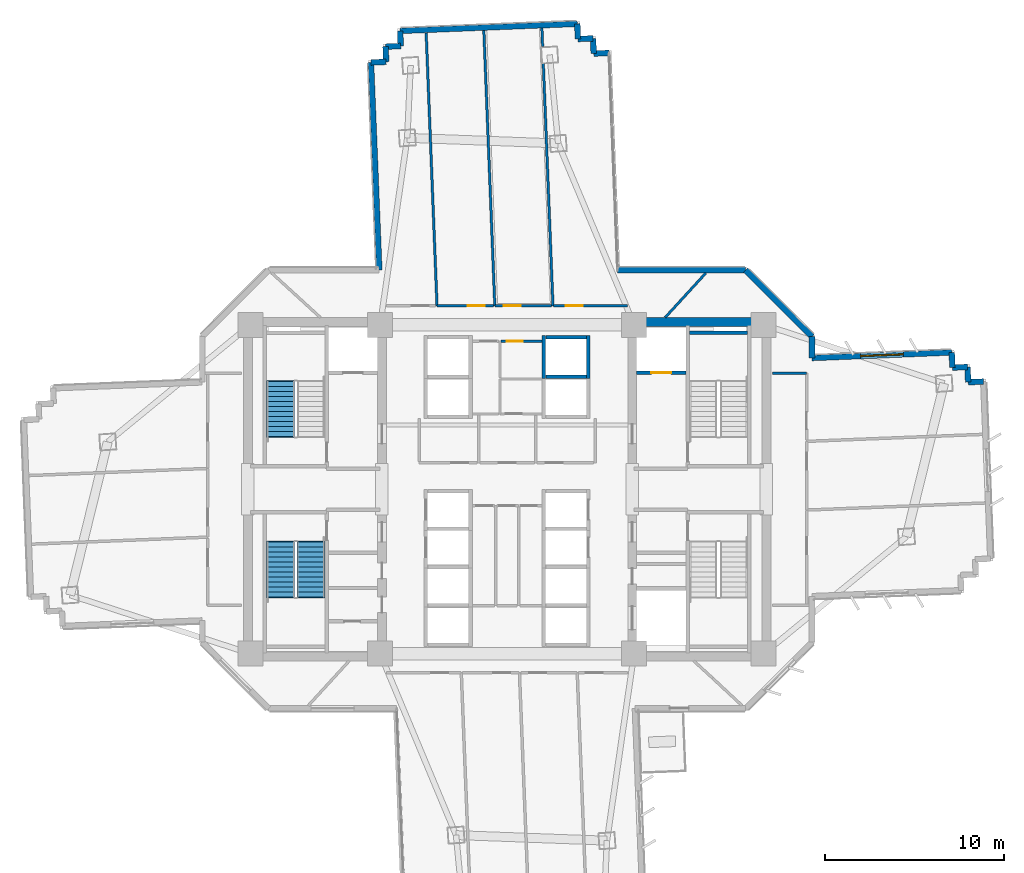
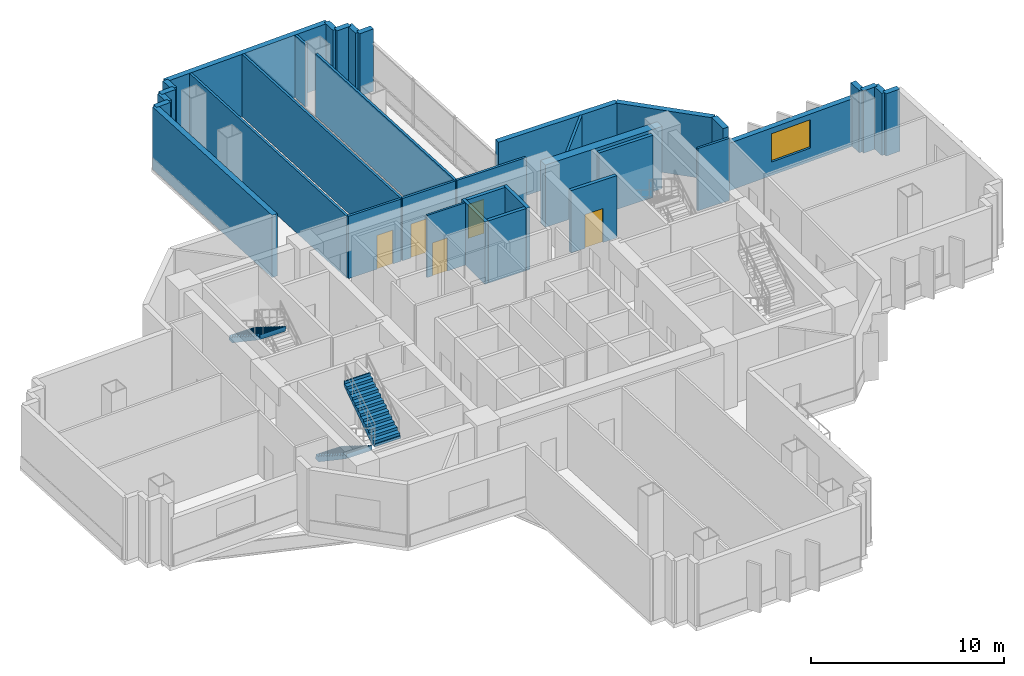
# One storey, part 10 of 16: 35 walls, 5 doors, 3 stair flights, 1 window, 6 openings, 2 elements without a shape of their own.
"""IFC4 building model written with IfcOpenShell, lengths in metres."""

from ifc_helpers import new_model, si_unit, direction, frame, frame_2d, origin, place, context, subcontext, project, spatial, polyline, rectangle, outline, extrude, source, transform, mapped, material, layer, layer_set, type_object, element, fill, aggregate, save


model = new_model("IFC4")

# Units and contexts
model_context = context("Model", 3, precision=1e-05, world=origin(), true_north=direction((0.0, 1.0)))
body_context = subcontext(model_context, "Body", "Model", "MODEL_VIEW")
ifc_project = project(units=[si_unit("LENGTHUNIT", "METRE"), si_unit("AREAUNIT", "SQUARE_METRE"), si_unit("VOLUMEUNIT", "CUBIC_METRE"), si_unit("PLANEANGLEUNIT", "RADIAN"), si_unit("MASSUNIT", "GRAM", prefix="KILO")], contexts=[model_context])

# Site, building, storey
site_placement = place(None, origin())
site = spatial("IfcSite", under=ifc_project, at=site_placement, CompositionType="ELEMENT")
building_placement = place(site_placement, origin())
building = spatial("IfcBuilding", under=site, at=building_placement, Name="Zahravan Cultural Tower", CompositionType="ELEMENT")
storey_placement = place(building_placement, frame((0.0, 0.0, 58.5)))
storey = spatial("IfcBuildingStorey", under=building, at=storey_placement, Name="L12", CompositionType="ELEMENT", Elevation=58.5)

# Wall, opening, window
ifc_material_1 = material(Name="Precast concrete C40/50", Category="concrete")
ifc_layer_1 = layer(ifc_material_1, 0.320068359375)
ifc_layer_set_1 = layer_set([ifc_layer_1], Name="Precast concrete C40/50")
wall_type_1 = type_object("IfcWallType", Name="EW-TC-320", PredefinedType="SOLIDWALL", material=ifc_layer_set_1)
wall_1_placement = place(storey_placement, frame((53.06005859375, 34.344482421875, 0.0), z_axis=(0.0, 0.0, 1.0), x_axis=(0.999208917222, 0.039768577336, 0.0)))
wall_1 = element("IfcWall", 1, at=wall_1_placement, inside=storey, type_object=wall_type_1, Name="L12 Exterior Masonry Frame Wall 01", PredefinedType="SOLIDWALL", context=body_context, shape_type="SweptSolid", body=[
    extrude(rectangle(XDim=7.821044921875, YDim=0.320068359375, at=frame_2d((3.91064453125, 0.0))), origin(), (0.0, 0.0, 1.0), 3.010009765625),
])
opening_1_placement = place(wall_1_placement, frame((2.7109375, 0.0, 0.85009765625)))
opening_1 = element("IfcOpeningElement", 2, at=opening_1_placement, cuts=wall_1, Name="Opening WN-01", PredefinedType="OPENING", context=body_context, shape_type="SweptSolid", body=[
    extrude(rectangle(XDim=2.39990234375, YDim=1.800048828125, at=frame_2d((1.199951171875, 0.89990234375))), frame((0.0, 0.169921875, 0.0), z_axis=(0.0, -1.0, 0.0), x_axis=(1.0, 0.0, 0.0)), (0.0, 0.0, 1.0), 0.340087890625),
])
ifc_material_2 = material(Name="Low-E solar-control double glazing", Category="glass")
window_type = type_object("IfcWindowType", Name="WN-REC-2400X1800", PartitioningType="DOUBLE_PANEL_VERTICAL", PredefinedType="WINDOW", material=ifc_material_2)
shared_shape_1 = source(origin(), body_context, "Body", "SweptSolid", [
    extrude(rectangle(XDim=2.39990234375, YDim=1.800048828125, at=frame_2d((1.199951171875, 0.89990234375))), frame((0.0, 0.030029296875, 0.0), z_axis=(0.0, -1.0, 0.0), x_axis=(1.0, 0.0, 0.0)), (0.0, 0.0, 1.0), 0.06005859375),
])
window_placement = place(opening_1_placement, origin())
window = element("IfcWindow", 3, at=window_placement, inside=storey, type_object=window_type, Name="L12 Recessed Solar Window 01", OverallHeight=1.800048828125, OverallWidth=2.39990234375, PartitioningType="DOUBLE_PANEL_VERTICAL", PredefinedType="WINDOW", context=body_context, shape_type="MappedRepresentation", body=[
    mapped(shared_shape_1, transform((0.0, 0.0, 0.0), x_axis=(1.0, 0.0, 0.0), y_axis=(0.0, 1.0, 0.0), z_axis=(0.0, 0.0, 1.0), scale=1.0)),
])
fill(opening_1, window)

# Wall, opening, door
ifc_material_3 = material(Name="Gypsum plasterboard partition")
ifc_layer_2 = layer(ifc_material_3, 0.139892578125)
ifc_layer_set_2 = layer_set([ifc_layer_2], Name="Gypsum plasterboard partition")
wall_type_2 = type_object("IfcWallType", Name="W-PART-140", PredefinedType="PARTITIONING", material=ifc_layer_set_2)
wall_2_placement = place(storey_placement, frame((35.236083984375, 37.260009765625, 0.0), z_axis=(0.0, 0.0, 1.0), x_axis=(-1.0, 0.0, 0.0)))
wall_2 = element("IfcWall", 4, at=wall_2_placement, inside=storey, type_object=wall_type_2, Name="L12 Interior Wall 098", PredefinedType="PARTITIONING", context=body_context, shape_type="SweptSolid", body=[
    extrude(rectangle(XDim=3.157470703125, YDim=0.139892578125, at=frame_2d((1.57861328125, 0.0))), origin(), (0.0, 0.0, 1.0), 3.949951171875),
])
opening_2_placement = place(wall_2_placement, frame((0.485595703125, 0.0, 0.0)))
opening_2 = element("IfcOpeningElement", 5, at=opening_2_placement, cuts=wall_2, Name="Opening D-L12-26", PredefinedType="OPENING", context=body_context, shape_type="SweptSolid", body=[
    extrude(rectangle(XDim=0.949951171875, YDim=2.14990234375, at=frame_2d((0.47509765625, 1.074951171875))), frame((0.0, 0.079833984375, 0.0), z_axis=(0.0, -1.0, 0.0), x_axis=(1.0, 0.0, 0.0)), (0.0, 0.0, 1.0), 0.159912109375),
])
ifc_material_4 = material(Name="Anodised bronze-aluminium mullion", Category="aluminium")
door_type_1 = type_object("IfcDoorType", Name="DR-ROOM-950", OperationType="NOTDEFINED", PredefinedType="DOOR", material=ifc_material_4)
shared_shape_2 = source(origin(), body_context, "Body", "SweptSolid", [
    extrude(rectangle(XDim=0.949951171875, YDim=2.14990234375, at=frame_2d((0.47509765625, 1.074951171875))), frame((0.0, 0.02490234375, 0.0), z_axis=(0.0, -1.0, 0.0), x_axis=(1.0, 0.0, 0.0)), (0.0, 0.0, 1.0), 0.050048828125),
])
door_1_placement = place(opening_2_placement, origin())
door_1 = element("IfcDoor", 6, at=door_1_placement, inside=storey, type_object=door_type_1, Name="L12 Door D-L12-26", OperationType="SINGLE_SWING_LEFT", OverallHeight=2.14990234375, OverallWidth=0.949951171875, PredefinedType="DOOR", context=body_context, shape_type="MappedRepresentation", body=[
    mapped(shared_shape_2, transform((0.0, 0.0, 0.0), x_axis=(1.0, 0.0, 0.0), y_axis=(0.0, 1.0, 0.0), z_axis=(0.0, 0.0, 1.0), scale=1.0)),
])
fill(opening_2, door_1)

wall_3_placement = place(storey_placement, frame((38.48876953125, 37.260009765625, 0.0), z_axis=(0.0, 0.0, 1.0), x_axis=(-1.0, 0.0, 0.0)))
wall_3 = element("IfcWall", 7, at=wall_3_placement, inside=storey, type_object=wall_type_2, Name="L12 Interior Wall 105", PredefinedType="PARTITIONING", context=body_context, shape_type="SweptSolid", body=[
    extrude(rectangle(XDim=3.157470703125, YDim=0.139892578125, at=frame_2d((1.57861328125, 0.0))), origin(), (0.0, 0.0, 1.0), 3.949951171875),
])
opening_3_placement = place(wall_3_placement, frame((1.7216796875, 0.0, 0.0)))
opening_3 = element("IfcOpeningElement", 8, at=opening_3_placement, cuts=wall_3, Name="Opening D-L12-25", PredefinedType="OPENING", context=body_context, shape_type="SweptSolid", body=[
    extrude(rectangle(XDim=0.949951171875, YDim=2.14990234375, at=frame_2d((0.47509765625, 1.074951171875))), frame((0.0, 0.079833984375, 0.0), z_axis=(0.0, -1.0, 0.0), x_axis=(1.0, 0.0, 0.0)), (0.0, 0.0, 1.0), 0.159912109375),
])
door_2_placement = place(opening_3_placement, origin())
door_2 = element("IfcDoor", 9, at=door_2_placement, inside=storey, type_object=door_type_1, Name="L12 Door D-L12-25", OperationType="SINGLE_SWING_RIGHT", OverallHeight=2.14990234375, OverallWidth=0.949951171875, PredefinedType="DOOR", context=body_context, shape_type="MappedRepresentation", body=[
    mapped(shared_shape_2, transform((0.0, 0.0, 0.0), x_axis=(1.0, 0.0, 0.0), y_axis=(0.0, 1.0, 0.0), z_axis=(0.0, 0.0, 1.0), scale=1.0)),
])
fill(opening_3, door_2)

wall_4_placement = place(storey_placement, frame((42.742431640625, 37.259765625, 0.0), z_axis=(0.0, 0.0, 1.0), x_axis=(-0.999999998277, 5.8706117e-05, 0.0)))
wall_4 = element("IfcWall", 10, at=wall_4_placement, inside=storey, type_object=wall_type_2, Name="L12 Interior Wall 124", PredefinedType="PARTITIONING", context=body_context, shape_type="SweptSolid", body=[
    extrude(rectangle(XDim=4.15869140625, YDim=0.139892578125, at=frame_2d((2.079345703125, 0.0))), origin(), (0.0, 0.0, 1.0), 3.949951171875),
])
opening_4_placement = place(wall_4_placement, frame((2.502685546875, 0.0, 0.0)))
opening_4 = element("IfcOpeningElement", 11, at=opening_4_placement, cuts=wall_4, Name="Opening D-L12-24", PredefinedType="OPENING", context=body_context, shape_type="SweptSolid", body=[
    extrude(rectangle(XDim=0.949951171875, YDim=2.14990234375, at=frame_2d((0.47509765625, 1.074951171875))), frame((0.0, 0.079833984375, 0.0), z_axis=(0.0, -1.0, 0.0), x_axis=(1.0, 0.0, 0.0)), (0.0, 0.0, 1.0), 0.159912109375),
])
door_3_placement = place(opening_4_placement, origin())
door_3 = element("IfcDoor", 12, at=door_3_placement, inside=storey, type_object=door_type_1, Name="L12 Door D-L12-24", OperationType="SINGLE_SWING_LEFT", OverallHeight=2.14990234375, OverallWidth=0.949951171875, PredefinedType="DOOR", context=body_context, shape_type="MappedRepresentation", body=[
    mapped(shared_shape_2, transform((0.0, 0.0, 0.0), x_axis=(1.0, 0.0, 0.0), y_axis=(0.0, 1.0, 0.0), z_axis=(0.0, 0.0, 1.0), scale=1.0)),
])
fill(opening_4, door_3)

ifc_material_5 = material(Name="Concrete C45/55", Category="concrete")
ifc_layer_3 = layer(ifc_material_5, 0.199951171875)
ifc_layer_set_3 = layer_set([ifc_layer_3], Name="Concrete C45/55")
wall_type_3 = type_object("IfcWallType", Name="W-SHAFT-200", PredefinedType="SOLIDWALL", material=ifc_layer_set_3)
wall_5_placement = place(storey_placement, frame((43.25, 33.52001953125, 0.0), z_axis=(0.0, 0.0, 1.0), x_axis=(1.0, 0.0, 0.0)))
wall_5 = element("IfcWall", 13, at=wall_5_placement, inside=storey, type_object=wall_type_3, Name="L12 Interior Wall 022", PredefinedType="SOLIDWALL", context=body_context, shape_type="SweptSolid", body=[
    extrude(rectangle(XDim=2.75, YDim=0.199951171875, at=frame_2d((1.375, 0.0))), origin(), (0.0, 0.0, 1.0), 3.949951171875),
])
opening_5_placement = place(wall_5_placement, frame((0.820068359375, 0.0, 0.0)))
opening_5 = element("IfcOpeningElement", 14, at=opening_5_placement, cuts=wall_5, Name="Opening LD-L12-02", PredefinedType="OPENING", context=body_context, shape_type="SweptSolid", body=[
    extrude(rectangle(XDim=1.10009765625, YDim=2.14990234375, at=frame_2d((0.550048828125, 1.074951171875))), frame((0.0, 0.10986328125, 0.0), z_axis=(0.0, -1.0, 0.0), x_axis=(1.0, 0.0, 0.0)), (0.0, 0.0, 1.0), 0.219970703125),
])
ifc_material_6 = material(Name="Steel ASTM A572 Grade 50", Category="steel")
door_type_2 = type_object("IfcDoorType", Name="DR-LIFT-1100", OperationType="DOUBLE_DOOR_SLIDING", PredefinedType="DOOR", material=ifc_material_6)
shared_shape_3 = source(origin(), body_context, "Body", "SweptSolid", [
    extrude(rectangle(XDim=1.10009765625, YDim=2.14990234375, at=frame_2d((0.550048828125, 1.074951171875))), frame((0.0, 0.02490234375, 0.0), z_axis=(0.0, -1.0, 0.0), x_axis=(1.0, 0.0, 0.0)), (0.0, 0.0, 1.0), 0.050048828125),
])
door_4_placement = place(opening_5_placement, origin())
door_4 = element("IfcDoor", 15, at=door_4_placement, inside=storey, type_object=door_type_2, Name="L12 Door LD-L12-02", OperationType="DOUBLE_DOOR_SLIDING", OverallHeight=2.14990234375, OverallWidth=1.10009765625, PredefinedType="DOOR", context=body_context, shape_type="MappedRepresentation", body=[
    mapped(shared_shape_3, transform((0.0, 0.0, 0.0), x_axis=(1.0, 0.0, 0.0), y_axis=(0.0, 1.0, 0.0), z_axis=(0.0, 0.0, 1.0), scale=1.0)),
])
fill(opening_5, door_4)

ifc_layer_4 = layer(ifc_material_3, 0.114990234375)
ifc_layer_set_4 = layer_set([ifc_layer_4], Name="Gypsum plasterboard partition")
wall_type_4 = type_object("IfcWallType", Name="W-WC-115", PredefinedType="PARTITIONING", material=ifc_layer_set_4)
wall_6_placement = place(storey_placement, frame((35.652587890625, 35.280029296875, 0.0), z_axis=(0.0, 0.0, 1.0), x_axis=(1.0, 0.0, 0.0)))
wall_6 = element("IfcWall", 16, at=wall_6_placement, inside=storey, type_object=wall_type_4, Name="L12 Interior Wall 073", PredefinedType="PARTITIONING", context=body_context, shape_type="SweptSolid", body=[
    extrude(rectangle(XDim=2.29248046875, YDim=0.114990234375, at=frame_2d((1.146240234375, 0.0))), origin(), (0.0, 0.0, 1.0), 3.949951171875),
])
opening_6_placement = place(wall_6_placement, frame((0.3203125, 0.0, 0.0)))
opening_6 = element("IfcOpeningElement", 17, at=opening_6_placement, cuts=wall_6, Name="Opening D-L12-14", PredefinedType="OPENING", context=body_context, shape_type="SweptSolid", body=[
    extrude(rectangle(XDim=0.89990234375, YDim=2.10009765625, at=frame_2d((0.449951171875, 1.050048828125))), frame((0.0, 0.0673828125, 0.0), z_axis=(0.0, -1.0, 0.0), x_axis=(1.0, 0.0, 0.0)), (0.0, 0.0, 1.0), 0.135009765625),
])
door_type_3 = type_object("IfcDoorType", Name="DR-WC-900", OperationType="NOTDEFINED", PredefinedType="DOOR", material=ifc_material_4)
shared_shape_4 = source(origin(), body_context, "Body", "SweptSolid", [
    extrude(rectangle(XDim=0.89990234375, YDim=2.10009765625, at=frame_2d((0.449951171875, 1.050048828125))), frame((0.0, 0.02490234375, 0.0), z_axis=(0.0, -1.0, 0.0), x_axis=(1.0, 0.0, 0.0)), (0.0, 0.0, 1.0), 0.050048828125),
])
door_5_placement = place(opening_6_placement, origin())
door_5 = element("IfcDoor", 18, at=door_5_placement, inside=storey, type_object=door_type_3, Name="L12 Door D-L12-14", OperationType="SINGLE_SWING_LEFT", OverallHeight=2.10009765625, OverallWidth=0.89990234375, PredefinedType="DOOR", context=body_context, shape_type="MappedRepresentation", body=[
    mapped(shared_shape_4, transform((0.0, 0.0, 0.0), x_axis=(1.0, 0.0, 0.0), y_axis=(0.0, 1.0, 0.0), z_axis=(0.0, 0.0, 1.0), scale=1.0)),
])
fill(opening_6, door_5)

# Walls
ifc_material_7 = material(Name="Concrete C60/75", Category="concrete")
ifc_layer_5 = layer(ifc_material_7, 0.5)
ifc_layer_set_5 = layer_set([ifc_layer_5], Name="Concrete C60/75")
wall_type_5 = type_object("IfcWallType", Name="CW-SHEAR-500-C60", PredefinedType="SHEAR", material=ifc_layer_set_5)
shared_shape_5 = source(origin(), body_context, "Body", "SweptSolid", [
    extrude(rectangle(XDim=7.0, YDim=0.5, at=frame_2d((3.5, 0.0))), origin(), (0.0, 0.0, 1.0), 3.949951171875),
])
wall_7_placement = place(storey_placement, frame((43.25, 36.35009765625, 0.0), z_axis=(0.0, 0.0, 1.0), x_axis=(1.0, 0.0, 0.0)))
element("IfcWall", 19, at=wall_7_placement, inside=storey, type_object=wall_type_5, Name="L12 Core Shear Wall CW-E-N-L12", PredefinedType="SHEAR", context=body_context, shape_type="MappedRepresentation", body=[
    mapped(shared_shape_5, transform((0.0, 0.0, 0.0), x_axis=(1.0, 0.0, 0.0), y_axis=(0.0, 1.0, 0.0), z_axis=(0.0, 0.0, 1.0), scale=1.0)),
])
shared_shape_6 = source(origin(), body_context, "Body", "SweptSolid", [
    extrude(rectangle(XDim=0.849853515625, YDim=0.320068359375, at=frame_2d((0.4248046875, 0.0))), origin(), (0.0, 0.0, 1.0), 3.949951171875),
])
for number, where, z_axis, x_axis, name in (
    (20, (60.875, 34.655517578125, 0.0), (0.0, 0.0, 1.0), (0.039933618331, -0.999202334929, 0.0), "L12 Exterior Masonry Frame Wall 02"),
    (21, (28.38427734375, 50.8759765625, 0.0), (0.0, 0.0, 1.0), (0.999202334929, 0.039933618331, 0.0), "L12 Exterior Masonry Frame Wall 43"),
    (22, (29.2333984375, 50.909912109375, 0.0), (0.0, 0.0, 1.0), (-0.039646779332, 0.999213757356, 0.0), "L12 Exterior Masonry Frame Wall 44"),
    (23, (30.049072265625, 51.79296875, 0.0), (0.0, 0.0, 1.0), (-0.039933618331, 0.999202334929, 0.0), "L12 Exterior Masonry Frame Wall 46"),
    (24, (39.961181640625, 52.1875, 0.0), (0.0, 0.0, 1.0), (0.999213757356, 0.039646779332, 0.0), "L12 Exterior Masonry Frame Wall 49"),
    (25, (40.810302734375, 52.22119140625, 0.0), (0.0, 0.0, 1.0), (0.039933618331, -0.999202334929, 0.0), "L12 Exterior Masonry Frame Wall 50"),
):
    element("IfcWall", number, at=place(storey_placement, frame(where, z_axis=z_axis, x_axis=x_axis)), inside=storey, type_object=wall_type_1, Name=name, PredefinedType="SOLIDWALL", context=body_context, shape_type="MappedRepresentation", body=[
        mapped(shared_shape_6, transform((0.0, 0.0, 0.0), x_axis=(1.0, 0.0, 0.0), y_axis=(0.0, 1.0, 0.0), z_axis=(0.0, 0.0, 1.0), scale=1.0)),
    ])
shared_shape_7 = source(origin(), body_context, "Body", "SweptSolid", [
    extrude(rectangle(XDim=0.85009765625, YDim=0.320068359375, at=frame_2d((0.425048828125, 0.0))), origin(), (0.0, 0.0, 1.0), 3.949951171875),
])
for number, where, z_axis, x_axis, name in (
    (26, (60.908935546875, 33.806396484375, 0.0), (0.0, 0.0, 1.0), (0.999214208752, 0.039635401209, 0.0), "L12 Exterior Masonry Frame Wall 03"),
    (27, (61.75830078125, 33.840087890625, 0.0), (0.0, 0.0, 1.0), (0.039635401209, -0.999214208752, 0.0), "L12 Exterior Masonry Frame Wall 04"),
    (28, (61.7919921875, 32.99072265625, 0.0), (0.0, 0.0, 1.0), (0.999202792875, 0.039922158152, 0.0), "L12 Exterior Masonry Frame Wall 05"),
    (29, (29.19970703125, 51.759033203125, 0.0), (0.0, 0.0, 1.0), (0.999202792875, 0.039922158152, 0.0), "L12 Exterior Masonry Frame Wall 45"),
    (30, (39.92724609375, 53.036865234375, 0.0), (0.0, 0.0, 1.0), (0.039922158152, -0.999202792875, 0.0), "L12 Exterior Masonry Frame Wall 48"),
    (31, (40.84423828125, 51.3720703125, 0.0), (0.0, 0.0, 1.0), (0.999214208752, 0.039635401209, 0.0), "L12 Exterior Masonry Frame Wall 51"),
):
    element("IfcWall", number, at=place(storey_placement, frame(where, z_axis=z_axis, x_axis=x_axis)), inside=storey, type_object=wall_type_1, Name=name, PredefinedType="SOLIDWALL", context=body_context, shape_type="MappedRepresentation", body=[
        mapped(shared_shape_7, transform((0.0, 0.0, 0.0), x_axis=(1.0, 0.0, 0.0), y_axis=(0.0, 1.0, 0.0), z_axis=(0.0, 0.0, 1.0), scale=1.0)),
    ])
shared_shape_8 = source(origin(), body_context, "Body", "SweptSolid", [
    extrude(rectangle(XDim=9.919921875, YDim=0.320068359375, at=frame_2d((4.9599609375, 0.0))), origin(), (0.0, 0.0, 1.0), 3.949951171875),
])
wall_8_placement = place(storey_placement, frame((30.01513671875, 52.64208984375, 0.0), z_axis=(0.0, 0.0, 1.0), x_axis=(0.999207823998, 0.039796035749, 0.0)))
element("IfcWall", 32, at=wall_8_placement, inside=storey, type_object=wall_type_1, Name="L12 Exterior Masonry Frame Wall 47", PredefinedType="SOLIDWALL", context=body_context, shape_type="MappedRepresentation", body=[
    mapped(shared_shape_8, transform((0.0, 0.0, 0.0), x_axis=(1.0, 0.0, 0.0), y_axis=(0.0, 1.0, 0.0), z_axis=(0.0, 0.0, 1.0), scale=1.0)),
])
shared_shape_9 = source(origin(), body_context, "Body", "SweptSolid", [
    extrude(rectangle(XDim=5.258056640625, YDim=0.320068359375, at=frame_2d((2.62890625, 0.0))), origin(), (0.0, 0.0, 1.0), 3.949951171875),
])
wall_9_placement = place(storey_placement, frame((49.342041015625, 39.260009765625, 0.0), z_axis=(0.0, 0.0, 1.0), x_axis=(0.707106781187, -0.707106781187, 0.0)))
element("IfcWall", 33, at=wall_9_placement, inside=storey, type_object=wall_type_1, Name="L12 Exterior Masonry Frame Wall 53", PredefinedType="SOLIDWALL", context=body_context, shape_type="MappedRepresentation", body=[
    mapped(shared_shape_9, transform((0.0, 0.0, 0.0), x_axis=(1.0, 0.0, 0.0), y_axis=(0.0, 1.0, 0.0), z_axis=(0.0, 0.0, 1.0), scale=1.0)),
])
shared_shape_10 = source(origin(), body_context, "Body", "SweptSolid", [
    extrude(rectangle(XDim=1.197509765625, YDim=0.320068359375, at=frame_2d((0.5986328125, 0.0))), origin(), (0.0, 0.0, 1.0), 3.949951171875),
])
wall_10_placement = place(storey_placement, frame((53.06005859375, 35.5419921875, 0.0), z_axis=(0.0, 0.0, 1.0), x_axis=(0.0, -1.0, 0.0)))
element("IfcWall", 34, at=wall_10_placement, inside=storey, type_object=wall_type_1, Name="L12 Exterior Masonry Frame Wall 54", PredefinedType="SOLIDWALL", context=body_context, shape_type="MappedRepresentation", body=[
    mapped(shared_shape_10, transform((0.0, 0.0, 0.0), x_axis=(1.0, 0.0, 0.0), y_axis=(0.0, 1.0, 0.0), z_axis=(0.0, 0.0, 1.0), scale=1.0)),
])
shared_shape_11 = source(origin(), body_context, "Body", "SweptSolid", [
    extrude(rectangle(XDim=11.625244140625, YDim=0.320068359375, at=frame_2d((5.8125, 0.0))), origin(), (0.0, 0.0, 1.0), 3.949951171875),
])
wall_11_placement = place(storey_placement, frame((28.8466796875, 39.260009765625, 0.0), z_axis=(0.0, 0.0, 1.0), x_axis=(-0.039775975357, 0.999208622753, 0.0)))
element("IfcWall", 35, at=wall_11_placement, inside=storey, type_object=wall_type_1, Name="L12 Exterior Masonry Frame Wall 42", PredefinedType="SOLIDWALL", context=body_context, shape_type="MappedRepresentation", body=[
    mapped(shared_shape_11, transform((0.0, 0.0, 0.0), x_axis=(1.0, 0.0, 0.0), y_axis=(0.0, 1.0, 0.0), z_axis=(0.0, 0.0, 1.0), scale=1.0)),
])
shared_shape_12 = source(origin(), body_context, "Body", "SweptSolid", [
    extrude(rectangle(XDim=7.164794921875, YDim=0.320068359375, at=frame_2d((3.58251953125, 0.0))), origin(), (0.0, 0.0, 1.0), 3.949951171875),
])
wall_12_placement = place(storey_placement, frame((42.17724609375, 39.260009765625, 0.0), z_axis=(0.0, 0.0, 1.0), x_axis=(1.0, 0.0, 0.0)))
element("IfcWall", 36, at=wall_12_placement, inside=storey, type_object=wall_type_1, Name="L12 Exterior Masonry Frame Wall 52", PredefinedType="SOLIDWALL", context=body_context, shape_type="MappedRepresentation", body=[
    mapped(shared_shape_12, transform((0.0, 0.0, 0.0), x_axis=(1.0, 0.0, 0.0), y_axis=(0.0, 1.0, 0.0), z_axis=(0.0, 0.0, 1.0), scale=1.0)),
])
shared_shape_13 = source(origin(), body_context, "Body", "SweptSolid", [
    extrude(rectangle(XDim=3.25, YDim=0.199951171875, at=frame_2d((1.625, 0.0))), origin(), (0.0, 0.0, 1.0), 3.949951171875),
])
wall_13_placement = place(storey_placement, frame((46.199951171875, 35.75, 0.0), z_axis=(0.0, 0.0, 1.0), x_axis=(1.0, 0.0, 0.0)))
element("IfcWall", 37, at=wall_13_placement, inside=storey, type_object=wall_type_3, Name="L12 Interior Wall 018", PredefinedType="SOLIDWALL", context=body_context, shape_type="MappedRepresentation", body=[
    mapped(shared_shape_13, transform((0.0, 0.0, 0.0), x_axis=(1.0, 0.0, 0.0), y_axis=(0.0, 1.0, 0.0), z_axis=(0.0, 0.0, 1.0), scale=1.0)),
])
shared_shape_14 = source(origin(), body_context, "Body", "SweptSolid", [
    extrude(rectangle(XDim=2.400146484375, YDim=0.199951171875, at=frame_2d((1.2001953125, 0.0))), origin(), (0.0, 0.0, 1.0), 3.949951171875),
])
for number, where, z_axis, x_axis, name in (
    (38, (38.050048828125, 33.199951171875, 0.0), (0.0, 0.0, 1.0), (0.0, 1.0, 0.0), "L12 Interior Wall 036"),
    (39, (40.550048828125, 33.199951171875, 0.0), (0.0, 0.0, 1.0), (0.0, 1.0, 0.0), "L12 Interior Wall 037"),
):
    element("IfcWall", number, at=place(storey_placement, frame(where, z_axis=z_axis, x_axis=x_axis)), inside=storey, type_object=wall_type_3, Name=name, PredefinedType="SOLIDWALL", context=body_context, shape_type="MappedRepresentation", body=[
        mapped(shared_shape_14, transform((0.0, 0.0, 0.0), x_axis=(1.0, 0.0, 0.0), y_axis=(0.0, 1.0, 0.0), z_axis=(0.0, 0.0, 1.0), scale=1.0)),
    ])
shared_shape_15 = source(origin(), body_context, "Body", "SweptSolid", [
    extrude(rectangle(XDim=2.260009765625, YDim=0.199951171875, at=frame_2d((1.1298828125, 0.0))), origin(), (0.0, 0.0, 1.0), 3.949951171875),
])
for number, where, z_axis, x_axis, name in (
    (40, (38.169921875, 33.300048828125, 0.0), (0.0, 0.0, 1.0), (1.0, 0.0, 0.0), "L12 Interior Wall 038"),
    (41, (38.169921875, 35.5, 0.0), (0.0, 0.0, 1.0), (1.0, 0.0, 0.0), "L12 Interior Wall 039"),
):
    element("IfcWall", number, at=place(storey_placement, frame(where, z_axis=z_axis, x_axis=x_axis)), inside=storey, type_object=wall_type_3, Name=name, PredefinedType="SOLIDWALL", context=body_context, shape_type="MappedRepresentation", body=[
        mapped(shared_shape_15, transform((0.0, 0.0, 0.0), x_axis=(1.0, 0.0, 0.0), y_axis=(0.0, 1.0, 0.0), z_axis=(0.0, 0.0, 1.0), scale=1.0)),
    ])
shared_shape_16 = source(origin(), body_context, "Body", "SweptSolid", [
    extrude(rectangle(XDim=15.415771484375, YDim=0.139892578125, at=frame_2d((7.7080078125, 0.0))), origin(), (0.0, 0.0, 1.0), 3.949951171875),
])
wall_14_placement = place(storey_placement, frame((34.697998046875, 52.66357421875, 0.0), z_axis=(0.0, 0.0, 1.0), x_axis=(0.039782723686, -0.999208354096, 0.0)))
element("IfcWall", 42, at=wall_14_placement, inside=storey, type_object=wall_type_2, Name="L12 Interior Wall 097", PredefinedType="PARTITIONING", context=body_context, shape_type="MappedRepresentation", body=[
    mapped(shared_shape_16, transform((0.0, 0.0, 0.0), x_axis=(1.0, 0.0, 0.0), y_axis=(0.0, 1.0, 0.0), z_axis=(0.0, 0.0, 1.0), scale=1.0)),
])
shared_shape_17 = source(origin(), body_context, "Body", "SweptSolid", [
    extrude(rectangle(XDim=15.2861328125, YDim=0.139892578125, at=frame_2d((7.64306640625, 0.0))), origin(), (0.0, 0.0, 1.0), 3.949951171875),
])
wall_15_placement = place(storey_placement, frame((32.07861328125, 37.260986328125, 0.0), z_axis=(0.0, 0.0, 1.0), x_axis=(-0.039769031662, 0.99920889914, 0.0)))
element("IfcWall", 43, at=wall_15_placement, inside=storey, type_object=wall_type_2, Name="L12 Interior Wall 099", PredefinedType="PARTITIONING", context=body_context, shape_type="MappedRepresentation", body=[
    mapped(shared_shape_17, transform((0.0, 0.0, 0.0), x_axis=(1.0, 0.0, 0.0), y_axis=(0.0, 1.0, 0.0), z_axis=(0.0, 0.0, 1.0), scale=1.0)),
])
shared_shape_18 = source(origin(), body_context, "Body", "SweptSolid", [
    extrude(rectangle(XDim=1.01611328125, YDim=0.139892578125, at=frame_2d((0.508056640625, 0.0))), origin(), (0.0, 0.0, 1.0), 3.949951171875),
])
wall_16_placement = place(storey_placement, frame((37.9453125, 52.792724609375, 0.0), z_axis=(0.0, 0.0, 1.0), x_axis=(0.03988168596, -0.99920440908, 0.0)))
element("IfcWall", 44, at=wall_16_placement, inside=storey, type_object=wall_type_2, Name="L12 Interior Wall 103", PredefinedType="PARTITIONING", context=body_context, shape_type="MappedRepresentation", body=[
    mapped(shared_shape_18, transform((0.0, 0.0, 0.0), x_axis=(1.0, 0.0, 0.0), y_axis=(0.0, 1.0, 0.0), z_axis=(0.0, 0.0, 1.0), scale=1.0)),
])
shared_shape_19 = source(origin(), body_context, "Body", "SweptSolid", [
    extrude(rectangle(XDim=13.568115234375, YDim=0.139892578125, at=frame_2d((6.7841796875, 0.0))), origin(), (0.0, 0.0, 1.0), 3.949951171875),
])
wall_17_placement = place(storey_placement, frame((38.024169921875, 50.8173828125, 0.0), z_axis=(0.0, 0.0, 1.0), x_axis=(0.039766111253, -0.99920901537, 0.0)))
element("IfcWall", 45, at=wall_17_placement, inside=storey, type_object=wall_type_2, Name="L12 Interior Wall 104", PredefinedType="PARTITIONING", context=body_context, shape_type="MappedRepresentation", body=[
    mapped(shared_shape_19, transform((0.0, 0.0, 0.0), x_axis=(1.0, 0.0, 0.0), y_axis=(0.0, 1.0, 0.0), z_axis=(0.0, 0.0, 1.0), scale=1.0)),
])
shared_shape_20 = source(origin(), body_context, "Body", "SweptSolid", [
    extrude(rectangle(XDim=3.374755859375, YDim=0.139892578125, at=frame_2d((1.6875, 0.0))), origin(), (0.0, 0.0, 1.0), 3.949951171875),
])
wall_18_placement = place(storey_placement, frame((44.838134765625, 36.60498046875, 0.0), z_axis=(0.0, 0.0, 1.0), x_axis=(0.674974079893, 0.737841440604, 0.0)))
element("IfcWall", 46, at=wall_18_placement, inside=storey, type_object=wall_type_2, Name="L12 Interior Wall 118", PredefinedType="PARTITIONING", context=body_context, shape_type="MappedRepresentation", body=[
    mapped(shared_shape_20, transform((0.0, 0.0, 0.0), x_axis=(1.0, 0.0, 0.0), y_axis=(0.0, 1.0, 0.0), z_axis=(0.0, 0.0, 1.0), scale=1.0)),
])
shared_shape_21 = source(origin(), body_context, "Body", "SweptSolid", [
    extrude(rectangle(XDim=1.897705078125, YDim=0.139892578125, at=frame_2d((0.94873046875, 0.0))), origin(), (0.0, 0.0, 1.0), 3.949951171875),
])
wall_19_placement = place(storey_placement, frame((52.748779296875, 33.49755859375, 0.0), z_axis=(0.0, 0.0, 1.0), x_axis=(-0.999999702083, 0.00077190251, 0.0)))
element("IfcWall", 47, at=wall_19_placement, inside=storey, type_object=wall_type_2, Name="L12 Interior Wall 120", PredefinedType="PARTITIONING", context=body_context, shape_type="MappedRepresentation", body=[
    mapped(shared_shape_21, transform((0.0, 0.0, 0.0), x_axis=(1.0, 0.0, 0.0), y_axis=(0.0, 1.0, 0.0), z_axis=(0.0, 0.0, 1.0), scale=1.0)),
])

# Stair, stair flight
stair_type = type_object("IfcStairType", Name="STR-DL-1550-420", PredefinedType="HALF_TURN_STAIR", material=ifc_material_5)
stair_1_placement = place(storey_placement, origin())
stair_1 = element("IfcStair", 48, at=stair_1_placement, inside=storey, type_object=stair_type, Name="L12 West Core North Exit Stair ST-W1", PredefinedType="HALF_TURN_STAIR")
stair_flight_type = type_object("IfcStairFlightType", Name="FLG-DL-1550-420", PredefinedType="STRAIGHT", material=ifc_material_5)
stair_flight_1_placement = place(storey_placement, frame((23.324951171875, 33.030029296875, 2.10009765625), z_axis=(0.0, 0.0, 1.0), x_axis=(0.0, -1.0, 0.0)))
stair_flight_1 = element("IfcStairFlight", 49, at=stair_flight_1_placement, type_object=stair_flight_type, Name="ST-W1 flight 2", NumberOfRisers=12, NumberOfTreads=11, PredefinedType="STRAIGHT", RiserHeight=0.175, TreadLength=0.28, context=body_context, shape_type="SweptSolid", body=[
    extrude(outline(polyline([(-0.06494140625, -0.139892578125), (-0.06494140625, 0.0), (0.0, 0.0), (0.0, 0.175048828125), (0.280029296875, 0.175048828125), (0.280029296875, 0.35009765625), (0.56005859375, 0.35009765625), (0.56005859375, 0.52490234375), (0.840087890625, 0.52490234375), (0.840087890625, 0.699951171875), (1.1201171875, 0.699951171875), (1.1201171875, 0.875), (1.39990234375, 0.875), (1.39990234375, 1.050048828125), (1.679931640625, 1.050048828125), (1.679931640625, 1.22509765625), (1.9599609375, 1.22509765625), (1.9599609375, 1.39990234375), (2.239990234375, 1.39990234375), (2.239990234375, 1.574951171875), (2.52001953125, 1.574951171875), (2.52001953125, 1.75), (2.800048828125, 1.75), (2.800048828125, 1.925048828125), (3.080078125, 1.925048828125), (3.080078125, 2.10009765625), (3.14501953125, 2.10009765625), (3.14501953125, 1.9501953125), (3.080078125, 1.748291015625), (0.28271484375, -0.139892578125), (-0.06494140625, -0.139892578125)])), frame((0.0, 0.77490234375, 0.0), z_axis=(0.0, -1.0, 0.0), x_axis=(1.0, 0.0, 0.0)), (0.0, 0.0, 1.0), 1.550048828125),
])
aggregate(stair_1, [stair_flight_1])

# Stair, stair flights
stair_2_placement = place(storey_placement, origin())
stair_2 = element("IfcStair", 50, at=stair_2_placement, inside=storey, type_object=stair_type, Name="L12 West Core South Exit Stair ST-W2", PredefinedType="HALF_TURN_STAIR")
stair_flight_2_placement = place(storey_placement, frame((23.324951171875, 24.050048828125, 0.0), z_axis=(0.0, 0.0, 1.0), x_axis=(0.0, -1.0, 0.0)))
stair_flight_2 = element("IfcStairFlight", 51, at=stair_flight_2_placement, type_object=stair_flight_type, Name="ST-W2 flight 1", NumberOfRisers=12, NumberOfTreads=11, PredefinedType="STRAIGHT", RiserHeight=0.175, TreadLength=0.28, context=body_context, shape_type="SweptSolid", body=[
    extrude(outline(polyline([(-0.06494140625, -0.139892578125), (-0.06494140625, 0.0), (0.0, 0.0), (0.0, 0.175048828125), (0.280029296875, 0.175048828125), (0.280029296875, 0.35009765625), (0.56005859375, 0.35009765625), (0.56005859375, 0.52490234375), (0.840087890625, 0.52490234375), (0.840087890625, 0.699951171875), (1.1201171875, 0.699951171875), (1.1201171875, 0.875), (1.39990234375, 0.875), (1.39990234375, 1.050048828125), (1.679931640625, 1.050048828125), (1.679931640625, 1.22509765625), (1.9599609375, 1.22509765625), (1.9599609375, 1.39990234375), (2.239990234375, 1.39990234375), (2.239990234375, 1.574951171875), (2.52001953125, 1.574951171875), (2.52001953125, 1.75), (2.800048828125, 1.75), (2.800048828125, 1.925048828125), (3.080078125, 1.925048828125), (3.080078125, 2.10009765625), (3.14501953125, 2.10009765625), (3.14501953125, 1.9501953125), (3.080078125, 1.748291015625), (0.28271484375, -0.139892578125), (-0.06494140625, -0.139892578125)])), frame((0.0, 0.77490234375, 0.0), z_axis=(0.0, -1.0, 0.0), x_axis=(1.0, 0.0, 0.0)), (0.0, 0.0, 1.0), 1.550048828125),
])
stair_flight_3_placement = place(storey_placement, frame((25.02490234375, 20.969970703125, 2.10009765625), z_axis=(0.0, 0.0, 1.0), x_axis=(0.0, 1.0, 0.0)))
stair_flight_3 = element("IfcStairFlight", 52, at=stair_flight_3_placement, type_object=stair_flight_type, Name="ST-W2 flight 2", NumberOfRisers=12, NumberOfTreads=11, PredefinedType="STRAIGHT", RiserHeight=0.175, TreadLength=0.28, context=body_context, shape_type="SweptSolid", body=[
    extrude(outline(polyline([(-0.06494140625, -0.139892578125), (-0.06494140625, 0.0), (0.0, 0.0), (0.0, 0.175048828125), (0.280029296875, 0.175048828125), (0.280029296875, 0.35009765625), (0.56005859375, 0.35009765625), (0.56005859375, 0.52490234375), (0.840087890625, 0.52490234375), (0.840087890625, 0.699951171875), (1.1201171875, 0.699951171875), (1.1201171875, 0.875), (1.39990234375, 0.875), (1.39990234375, 1.050048828125), (1.679931640625, 1.050048828125), (1.679931640625, 1.22509765625), (1.9599609375, 1.22509765625), (1.9599609375, 1.39990234375), (2.239990234375, 1.39990234375), (2.239990234375, 1.574951171875), (2.52001953125, 1.574951171875), (2.52001953125, 1.75), (2.800048828125, 1.75), (2.800048828125, 1.925048828125), (3.080078125, 1.925048828125), (3.080078125, 2.10009765625), (3.14501953125, 2.10009765625), (3.14501953125, 1.9501953125), (3.080078125, 1.748291015625), (0.28271484375, -0.139892578125), (-0.06494140625, -0.139892578125)])), frame((0.0, 0.77490234375, 0.0), z_axis=(0.0, -1.0, 0.0), x_axis=(1.0, 0.0, 0.0)), (0.0, 0.0, 1.0), 1.550048828125),
])
aggregate(stair_2, [stair_flight_2, stair_flight_3])

save(model, "model.ifc")
